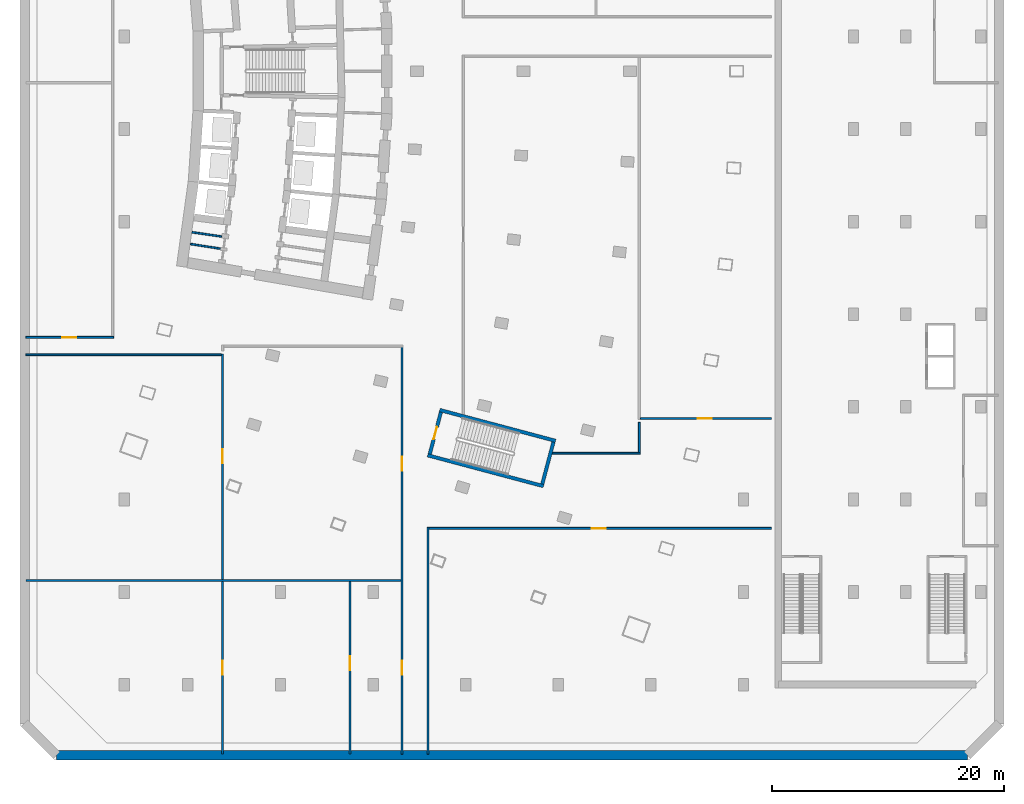
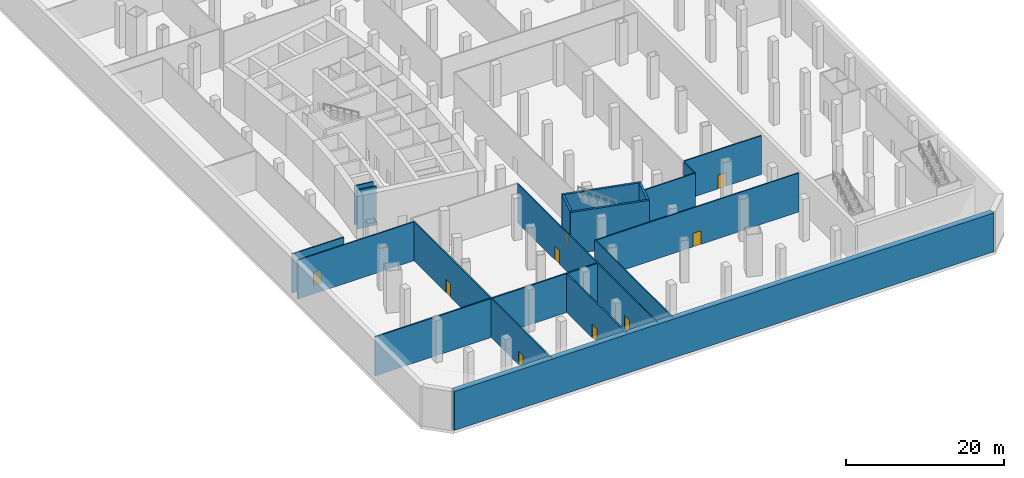
# One storey, part 2 of 16: 18 walls, 9 doors, 9 openings.
"""IFC4 building model written with IfcOpenShell, lengths in metres."""

from ifc_helpers import new_model, si_unit, direction, frame, frame_2d, origin, place, context, subcontext, project, spatial, rectangle, extrude, material, layer, layer_set, type_object, element, fill, save


model = new_model("IFC4")

# Units and contexts
model_context = context("Model", 3, precision=1e-05, world=origin(), true_north=direction((0.0, 1.0)))
body_context = subcontext(model_context, "Body", "Model", "MODEL_VIEW")
ifc_project = project(units=[si_unit("LENGTHUNIT", "METRE"), si_unit("AREAUNIT", "SQUARE_METRE"), si_unit("VOLUMEUNIT", "CUBIC_METRE"), si_unit("PLANEANGLEUNIT", "RADIAN"), si_unit("MASSUNIT", "GRAM", prefix="KILO")], contexts=[model_context])

# Site, building, storey
site_placement = place(None, origin())
site = spatial("IfcSite", under=ifc_project, at=site_placement, CompositionType="ELEMENT")
building_placement = place(site_placement, origin())
building = spatial("IfcBuilding", under=site, at=building_placement, Name="Alderwake Tower", CompositionType="ELEMENT")
storey_placement = place(building_placement, frame((0.0, 0.0, -6.5)))
storey = spatial("IfcBuildingStorey", under=building, at=storey_placement, Name="B1", CompositionType="ELEMENT", Elevation=-6.5)

# Walls
ifc_material_1 = material(Name="Concrete C50/60", Category="concrete")
ifc_layer_1 = layer(ifc_material_1, 0.800048828125)
ifc_layer_set_1 = layer_set([ifc_layer_1], Name="Basement retaining wall 800")
wall_type_1 = type_object("IfcWallType", Name="Basement retaining wall 800", PredefinedType="SOLIDWALL", material=ifc_layer_set_1)
wall_1_placement = place(storey_placement, frame((83.334228515625, 1.89990234375, 0.0), z_axis=(0.0, 0.0, 1.0), x_axis=(-1.0, 0.0, 0.0)))
element("IfcWall", 1, at=wall_1_placement, inside=storey, type_object=wall_type_1, Name="Retaining wall 8", PredefinedType="SOLIDWALL", context=body_context, shape_type="SweptSolid", body=[
    extrude(rectangle(XDim=78.66845703125, YDim=0.800048828125, at=frame_2d((39.334228515625, 0.0))), origin(), (0.0, 0.0, 1.0), 6.0),
])
ifc_material_2 = material(Name="Gypsum shaft wall system, rated")
ifc_layer_2 = layer(ifc_material_2, 0.14990234375)
ifc_layer_set_2 = layer_set([ifc_layer_2], Name="Core room partition 150")
wall_type_2 = type_object("IfcWallType", Name="Core room partition 150", PredefinedType="PARTITIONING", material=ifc_layer_set_2)
wall_2_placement = place(storey_placement, frame((16.2216796875, 46.0673828125, 0.0), z_axis=(0.0, 0.0, 1.0), x_axis=(0.988167260949, -0.153380130356, 0.0)))
element("IfcWall", 2, at=wall_2_placement, inside=storey, type_object=wall_type_2, Name="CW/B1/PR-161_+0", PredefinedType="PARTITIONING", context=body_context, shape_type="SweptSolid", body=[
    extrude(rectangle(XDim=2.593017578125, YDim=0.14990234375, at=frame_2d((1.29638671875, 0.0))), origin(), (0.0, 0.0, 1.0), 6.0),
])
wall_3_placement = place(storey_placement, frame((16.361328125, 47.08203125, 0.0), z_axis=(0.0, 0.0, 1.0), x_axis=(0.989733250733, -0.142926877787, 0.0)))
element("IfcWall", 3, at=wall_3_placement, inside=storey, type_object=wall_type_2, Name="CW/B1/PR-150_+0", PredefinedType="PARTITIONING", context=body_context, shape_type="SweptSolid", body=[
    extrude(rectangle(XDim=2.587890625, YDim=0.14990234375, at=frame_2d((1.2939453125, 0.0))), origin(), (0.0, 0.0, 1.0), 6.0),
])
ifc_material_3 = material(Name="Concrete C70/85", Category="concrete")
ifc_layer_3 = layer(ifc_material_3, 0.300048828125)
ifc_layer_set_3 = layer_set([ifc_layer_3], Name="Core wall stair enclosure 300 C70-85")
wall_type_3 = type_object("IfcWallType", Name="Core wall stair enclosure 300 C70-85", PredefinedType="SHEAR", material=ifc_layer_set_3)
for number, where, z_axis, x_axis, name in (
    (4, (37.75390625, 31.731201171875, 0.0), (0.0, 0.0, 1.0), (0.966309214305, -0.257383958996, 0.0), "Core wall CW.086"),
    (5, (36.71142578125, 27.817626953125, 0.0), (0.0, 0.0, 1.0), (0.966309214305, -0.257383958996, 0.0), "Core wall CW.088"),
):
    element("IfcWall", number, at=place(storey_placement, frame(where, z_axis=z_axis, x_axis=x_axis)), inside=storey, type_object=wall_type_3, Name=name, PredefinedType="SHEAR", context=body_context, shape_type="SweptSolid", body=[
        extrude(rectangle(XDim=10.360107421875, YDim=0.300048828125, at=frame_2d((5.18017578125, 0.0))), origin(), (0.0, 0.0, 1.0), 6.5),
    ])

# Wall, opening, door
wall_4_placement = place(storey_placement, frame((36.89501953125, 27.923828125, 0.0), z_axis=(0.0, 0.0, 1.0), x_axis=(0.257350630826, 0.966318090907, 0.0)))
wall_4 = element("IfcWall", 6, at=wall_4_placement, inside=storey, type_object=wall_type_3, Name="Core wall CW.087", PredefinedType="SHEAR", context=body_context, shape_type="SweptSolid", body=[
    extrude(rectangle(XDim=3.75, YDim=0.300048828125, at=frame_2d((1.875, 0.0))), origin(), (0.0, 0.0, 1.0), 6.5),
])
opening_1_placement = place(wall_4_placement, frame((1.324951171875, 0.0, 0.0)))
opening_1 = element("IfcOpeningElement", 7, at=opening_1_placement, cuts=wall_4, Name="Opening C065", PredefinedType="OPENING", context=body_context, shape_type="SweptSolid", body=[
    extrude(rectangle(XDim=1.10009765625, YDim=2.10009765625, at=frame_2d((0.550048828125, 1.050048828125))), frame((0.0, 0.159912109375, 0.0), z_axis=(0.0, -1.0, 0.0), x_axis=(1.0, 0.0, 0.0)), (0.0, 0.0, 1.0), 0.320068359375),
])
ifc_material_4 = material(Name="Steel-framed fire door leaf", Category="steel")
door_type_1 = type_object("IfcDoorType", Name="Core stair door 1100 fire-rated", OperationType="SINGLE_SWING_LEFT", PredefinedType="DOOR", material=ifc_material_4)
door_1_placement = place(opening_1_placement, origin())
door_1 = element("IfcDoor", 8, at=door_1_placement, inside=storey, type_object=door_type_1, Name="Stair door", OperationType="SINGLE_SWING_LEFT", OverallHeight=2.10009765625, OverallWidth=1.10009765625, PredefinedType="DOOR", context=body_context, shape_type="SweptSolid", body=[
    extrude(rectangle(XDim=1.10009765625, YDim=2.10009765625, at=frame_2d((0.550048828125, 1.050048828125))), frame((0.0, 0.02490234375, 0.0), z_axis=(0.0, -1.0, 0.0), x_axis=(1.0, 0.0, 0.0)), (0.0, 0.0, 1.0), 0.050048828125),
])
fill(opening_1, door_1)

# Walls
wall_5_placement = place(storey_placement, frame((46.6162109375, 25.334716796875, 0.0), z_axis=(0.0, 0.0, 1.0), x_axis=(0.257366821694, 0.966313778796, 0.0)))
element("IfcWall", 9, at=wall_5_placement, inside=storey, type_object=wall_type_3, Name="Core wall CW.085", PredefinedType="SHEAR", context=body_context, shape_type="SweptSolid", body=[
    extrude(rectangle(XDim=3.749755859375, YDim=0.300048828125, at=frame_2d((1.875, 0.0))), origin(), (0.0, 0.0, 1.0), 6.5),
])
ifc_material_5 = material(Name="Gypsum board on metal studs, rated")
ifc_layer_4 = layer(ifc_material_5, 0.159912109375)
ifc_layer_set_4 = layer_set([ifc_layer_4], Name="Corridor wall 160")
wall_type_4 = type_object("IfcWallType", Name="Corridor wall 160", PredefinedType="PARTITIONING", material=ifc_layer_set_4)
wall_6_placement = place(storey_placement, frame((2.0009765625, 36.5009765625, 0.0), z_axis=(0.0, 0.0, 1.0), x_axis=(1.0, 0.0, 0.0)))
element("IfcWall", 10, at=wall_6_placement, inside=storey, type_object=wall_type_4, Name="WL/B1/W31", PredefinedType="PARTITIONING", context=body_context, shape_type="SweptSolid", body=[
    extrude(rectangle(XDim=16.89794921875, YDim=0.159912109375, at=frame_2d((8.448974609375, 0.0))), origin(), (0.0, 0.0, 1.0), 6.0),
])

# Wall, opening, door
wall_7_placement = place(storey_placement, frame((9.5810546875, 38.0009765625, 0.0), z_axis=(0.0, 0.0, 1.0), x_axis=(-1.0, 0.0, 0.0)))
wall_7 = element("IfcWall", 11, at=wall_7_placement, inside=storey, type_object=wall_type_4, Name="WL/B1/W33", PredefinedType="PARTITIONING", context=body_context, shape_type="SweptSolid", body=[
    extrude(rectangle(XDim=7.580078125, YDim=0.159912109375, at=frame_2d((3.7900390625, 0.0))), origin(), (0.0, 0.0, 1.0), 6.0),
])
opening_2_placement = place(wall_7_placement, frame((3.23095703125, 0.0, 0.0)))
opening_2 = element("IfcOpeningElement", 12, at=opening_2_placement, cuts=wall_7, Name="Opening B1-31", PredefinedType="OPENING", context=body_context, shape_type="SweptSolid", body=[
    extrude(rectangle(XDim=1.199951171875, YDim=2.10009765625, at=frame_2d((0.60009765625, 1.050048828125))), frame((0.0, 0.08984375, 0.0), z_axis=(0.0, -1.0, 0.0), x_axis=(1.0, 0.0, 0.0)), (0.0, 0.0, 1.0), 0.179931640625),
])
ifc_material_6 = material(Name="Steel door leaf in steel frame", Category="steel")
door_type_2 = type_object("IfcDoorType", Name="Plant room door 1200 steel", OperationType="SINGLE_SWING_LEFT", PredefinedType="DOOR", material=ifc_material_6)
door_2_placement = place(opening_2_placement, origin())
door_2 = element("IfcDoor", 13, at=door_2_placement, inside=storey, type_object=door_type_2, Name="DR/B1/31", OperationType="SINGLE_SWING_LEFT", OverallHeight=2.10009765625, OverallWidth=1.199951171875, PredefinedType="DOOR", context=body_context, shape_type="SweptSolid", body=[
    extrude(rectangle(XDim=1.199951171875, YDim=2.10009765625, at=frame_2d((0.60009765625, 1.050048828125))), frame((0.0, 0.02490234375, 0.0), z_axis=(0.0, -1.0, 0.0), x_axis=(1.0, 0.0, 0.0)), (0.0, 0.0, 1.0), 0.050048828125),
])
fill(opening_2, door_2)

# Wall, openings, doors
wall_8_placement = place(storey_placement, frame((34.5, 37.1708984375, 0.0), z_axis=(0.0, 0.0, 1.0), x_axis=(0.0, -1.0, 0.0)))
wall_8 = element("IfcWall", 14, at=wall_8_placement, inside=storey, type_object=wall_type_4, Name="WL/B1/W39", PredefinedType="PARTITIONING", context=body_context, shape_type="SweptSolid", body=[
    extrude(rectangle(XDim=35.169921875, YDim=0.159912109375, at=frame_2d((17.5849609375, 0.0))), origin(), (0.0, 0.0, 1.0), 6.0),
])
opening_3_placement = place(wall_8_placement, frame((27.12109375, 0.0, 0.0)))
opening_3 = element("IfcOpeningElement", 15, at=opening_3_placement, cuts=wall_8, Name="Opening B1-17", PredefinedType="OPENING", context=body_context, shape_type="SweptSolid", body=[
    extrude(rectangle(XDim=1.199951171875, YDim=2.10009765625, at=frame_2d((0.60009765625, 1.050048828125))), frame((0.0, 0.08984375, 0.0), z_axis=(0.0, -1.0, 0.0), x_axis=(1.0, 0.0, 0.0)), (0.0, 0.0, 1.0), 0.179931640625),
])
opening_4_placement = place(wall_8_placement, frame((9.470947265625, 0.0, 0.0)))
opening_4 = element("IfcOpeningElement", 16, at=opening_4_placement, cuts=wall_8, Name="Opening B1-19", PredefinedType="OPENING", context=body_context, shape_type="SweptSolid", body=[
    extrude(rectangle(XDim=1.199951171875, YDim=2.10009765625, at=frame_2d((0.60009765625, 1.050048828125))), frame((0.0, 0.08984375, 0.0), z_axis=(0.0, -1.0, 0.0), x_axis=(1.0, 0.0, 0.0)), (0.0, 0.0, 1.0), 0.179931640625),
])
door_3_placement = place(opening_3_placement, origin())
door_3 = element("IfcDoor", 17, at=door_3_placement, inside=storey, type_object=door_type_2, Name="DR/B1/17", OperationType="SINGLE_SWING_LEFT", OverallHeight=2.10009765625, OverallWidth=1.199951171875, PredefinedType="DOOR", context=body_context, shape_type="SweptSolid", body=[
    extrude(rectangle(XDim=1.199951171875, YDim=2.10009765625, at=frame_2d((0.60009765625, 1.050048828125))), frame((0.0, 0.02490234375, 0.0), z_axis=(0.0, -1.0, 0.0), x_axis=(1.0, 0.0, 0.0)), (0.0, 0.0, 1.0), 0.050048828125),
])
fill(opening_3, door_3)
door_4_placement = place(opening_4_placement, origin())
door_4 = element("IfcDoor", 18, at=door_4_placement, inside=storey, type_object=door_type_2, Name="DR/B1/19", OperationType="SINGLE_SWING_LEFT", OverallHeight=2.10009765625, OverallWidth=1.199951171875, PredefinedType="DOOR", context=body_context, shape_type="SweptSolid", body=[
    extrude(rectangle(XDim=1.199951171875, YDim=2.10009765625, at=frame_2d((0.60009765625, 1.050048828125))), frame((0.0, 0.02490234375, 0.0), z_axis=(0.0, -1.0, 0.0), x_axis=(1.0, 0.0, 0.0)), (0.0, 0.0, 1.0), 0.050048828125),
])
fill(opening_4, door_4)

# Wall
wall_9_placement = place(storey_placement, frame((36.75, 2.0009765625, 0.0), z_axis=(0.0, 0.0, 1.0), x_axis=(0.0, 1.0, 0.0)))
element("IfcWall", 19, at=wall_9_placement, inside=storey, type_object=wall_type_4, Name="WL/B1/W42", PredefinedType="PARTITIONING", context=body_context, shape_type="SweptSolid", body=[
    extrude(rectangle(XDim=19.580078125, YDim=0.159912109375, at=frame_2d((9.7900390625, 0.0))), origin(), (0.0, 0.0, 1.0), 6.0),
])

# Wall, opening, door
wall_10_placement = place(storey_placement, frame((36.830078125, 21.5009765625, 0.0), z_axis=(0.0, 0.0, 1.0), x_axis=(1.0, 0.0, 0.0)))
wall_10 = element("IfcWall", 20, at=wall_10_placement, inside=storey, type_object=wall_type_4, Name="WL/B1/W43", PredefinedType="PARTITIONING", context=body_context, shape_type="SweptSolid", body=[
    extrude(rectangle(XDim=29.56884765625, YDim=0.159912109375, at=frame_2d((14.784423828125, 0.0))), origin(), (0.0, 0.0, 1.0), 6.0),
])
opening_5_placement = place(wall_10_placement, frame((14.070068359375, 0.0, 0.0)))
opening_5 = element("IfcOpeningElement", 21, at=opening_5_placement, cuts=wall_10, Name="Opening B1-24", PredefinedType="OPENING", context=body_context, shape_type="SweptSolid", body=[
    extrude(rectangle(XDim=1.199951171875, YDim=2.10009765625, at=frame_2d((0.60009765625, 1.050048828125))), frame((0.0, 0.08984375, 0.0), z_axis=(0.0, -1.0, 0.0), x_axis=(1.0, 0.0, 0.0)), (0.0, 0.0, 1.0), 0.179931640625),
])
door_5_placement = place(opening_5_placement, origin())
door_5 = element("IfcDoor", 22, at=door_5_placement, inside=storey, type_object=door_type_2, Name="DR/B1/24", OperationType="SINGLE_SWING_LEFT", OverallHeight=2.10009765625, OverallWidth=1.199951171875, PredefinedType="DOOR", context=body_context, shape_type="SweptSolid", body=[
    extrude(rectangle(XDim=1.199951171875, YDim=2.10009765625, at=frame_2d((0.60009765625, 1.050048828125))), frame((0.0, 0.02490234375, 0.0), z_axis=(0.0, -1.0, 0.0), x_axis=(1.0, 0.0, 0.0)), (0.0, 0.0, 1.0), 0.050048828125),
])
fill(opening_5, door_5)

# Walls
wall_11_placement = place(storey_placement, frame((55.0791015625, 27.9990234375, 0.0), z_axis=(0.0, 0.0, 1.0), x_axis=(-1.0, 0.0, 0.0)))
element("IfcWall", 23, at=wall_11_placement, inside=storey, type_object=wall_type_4, Name="WL/B1/W52", PredefinedType="PARTITIONING", context=body_context, shape_type="SweptSolid", body=[
    extrude(rectangle(XDim=7.59814453125, YDim=0.159912109375, at=frame_2d((3.799072265625, 0.0))), origin(), (0.0, 0.0, 1.0), 6.0),
])
wall_12_placement = place(storey_placement, frame((54.9990234375, 30.665771484375, 0.0), z_axis=(0.0, 0.0, 1.0), x_axis=(0.0, -1.0, 0.0)))
element("IfcWall", 24, at=wall_12_placement, inside=storey, type_object=wall_type_4, Name="WL/B1/W53", PredefinedType="PARTITIONING", context=body_context, shape_type="SweptSolid", body=[
    extrude(rectangle(XDim=2.586669921875, YDim=0.159912109375, at=frame_2d((1.29345703125, 0.0))), origin(), (0.0, 0.0, 1.0), 6.0),
])

# Wall, opening, door
wall_13_placement = place(storey_placement, frame((66.39892578125, 30.9990234375, 0.0), z_axis=(0.0, 0.0, 1.0), x_axis=(-1.0, 0.0, 0.0)))
wall_13 = element("IfcWall", 25, at=wall_13_placement, inside=storey, type_object=wall_type_4, Name="WL/B1/W54", PredefinedType="PARTITIONING", context=body_context, shape_type="SweptSolid", body=[
    extrude(rectangle(XDim=11.2998046875, YDim=0.159912109375, at=frame_2d((5.64990234375, 0.0))), origin(), (0.0, 0.0, 1.0), 6.0),
])
opening_6_placement = place(wall_13_placement, frame((5.14892578125, 0.0, 0.0)))
opening_6 = element("IfcOpeningElement", 26, at=opening_6_placement, cuts=wall_13, Name="Opening B1-26", PredefinedType="OPENING", context=body_context, shape_type="SweptSolid", body=[
    extrude(rectangle(XDim=1.199951171875, YDim=2.10009765625, at=frame_2d((0.60009765625, 1.050048828125))), frame((0.0, 0.08984375, 0.0), z_axis=(0.0, -1.0, 0.0), x_axis=(1.0, 0.0, 0.0)), (0.0, 0.0, 1.0), 0.179931640625),
])
door_6_placement = place(opening_6_placement, origin())
door_6 = element("IfcDoor", 27, at=door_6_placement, inside=storey, type_object=door_type_2, Name="DR/B1/26", OperationType="SINGLE_SWING_LEFT", OverallHeight=2.10009765625, OverallWidth=1.199951171875, PredefinedType="DOOR", context=body_context, shape_type="SweptSolid", body=[
    extrude(rectangle(XDim=1.199951171875, YDim=2.10009765625, at=frame_2d((0.60009765625, 1.050048828125))), frame((0.0, 0.02490234375, 0.0), z_axis=(0.0, -1.0, 0.0), x_axis=(1.0, 0.0, 0.0)), (0.0, 0.0, 1.0), 0.050048828125),
])
fill(opening_6, door_6)

# Wall
ifc_material_7 = material(Name="Dense block masonry wall", Category="masonry")
ifc_layer_5 = layer(ifc_material_7, 0.199951171875)
ifc_layer_set_5 = layer_set([ifc_layer_5], Name="Party wall 200")
wall_type_5 = type_object("IfcWallType", Name="Party wall 200", PredefinedType="SOLIDWALL", material=ifc_layer_set_5)
wall_14_placement = place(storey_placement, frame((2.0009765625, 17.0009765625, 0.0), z_axis=(0.0, 0.0, 1.0), x_axis=(1.0, 0.0, 0.0)))
element("IfcWall", 28, at=wall_14_placement, inside=storey, type_object=wall_type_5, Name="WL/B1/W01", PredefinedType="SOLIDWALL", context=body_context, shape_type="SweptSolid", body=[
    extrude(rectangle(XDim=32.4189453125, YDim=0.199951171875, at=frame_2d((16.20947265625, 0.0))), origin(), (0.0, 0.0, 1.0), 6.0),
])

# Wall, openings, doors
wall_15_placement = place(storey_placement, frame((18.9990234375, 36.5810546875, 0.0), z_axis=(0.0, 0.0, 1.0), x_axis=(0.0, -1.0, 0.0)))
wall_15 = element("IfcWall", 29, at=wall_15_placement, inside=storey, type_object=wall_type_5, Name="WL/B1/W03", PredefinedType="SOLIDWALL", context=body_context, shape_type="SweptSolid", body=[
    extrude(rectangle(XDim=34.580078125, YDim=0.199951171875, at=frame_2d((17.2900390625, 0.0))), origin(), (0.0, 0.0, 1.0), 6.0),
])
opening_7_placement = place(wall_15_placement, frame((26.531005859375, 0.0, 0.0)))
opening_7 = element("IfcOpeningElement", 30, at=opening_7_placement, cuts=wall_15, Name="Opening B1-15", PredefinedType="OPENING", context=body_context, shape_type="SweptSolid", body=[
    extrude(rectangle(XDim=1.199951171875, YDim=2.10009765625, at=frame_2d((0.60009765625, 1.050048828125))), frame((0.0, 0.10986328125, 0.0), z_axis=(0.0, -1.0, 0.0), x_axis=(1.0, 0.0, 0.0)), (0.0, 0.0, 1.0), 0.219970703125),
])
opening_8_placement = place(wall_15_placement, frame((8.23095703125, 0.0, 0.0)))
opening_8 = element("IfcOpeningElement", 31, at=opening_8_placement, cuts=wall_15, Name="Opening B1-18", PredefinedType="OPENING", context=body_context, shape_type="SweptSolid", body=[
    extrude(rectangle(XDim=1.199951171875, YDim=2.10009765625, at=frame_2d((0.60009765625, 1.050048828125))), frame((0.0, 0.10986328125, 0.0), z_axis=(0.0, -1.0, 0.0), x_axis=(1.0, 0.0, 0.0)), (0.0, 0.0, 1.0), 0.219970703125),
])
door_7_placement = place(opening_7_placement, origin())
door_7 = element("IfcDoor", 32, at=door_7_placement, inside=storey, type_object=door_type_2, Name="DR/B1/15", OperationType="SINGLE_SWING_LEFT", OverallHeight=2.10009765625, OverallWidth=1.199951171875, PredefinedType="DOOR", context=body_context, shape_type="SweptSolid", body=[
    extrude(rectangle(XDim=1.199951171875, YDim=2.10009765625, at=frame_2d((0.60009765625, 1.050048828125))), frame((0.0, 0.02490234375, 0.0), z_axis=(0.0, -1.0, 0.0), x_axis=(1.0, 0.0, 0.0)), (0.0, 0.0, 1.0), 0.050048828125),
])
fill(opening_7, door_7)
door_8_placement = place(opening_8_placement, origin())
door_8 = element("IfcDoor", 33, at=door_8_placement, inside=storey, type_object=door_type_2, Name="DR/B1/18", OperationType="SINGLE_SWING_LEFT", OverallHeight=2.10009765625, OverallWidth=1.199951171875, PredefinedType="DOOR", context=body_context, shape_type="SweptSolid", body=[
    extrude(rectangle(XDim=1.199951171875, YDim=2.10009765625, at=frame_2d((0.60009765625, 1.050048828125))), frame((0.0, 0.02490234375, 0.0), z_axis=(0.0, -1.0, 0.0), x_axis=(1.0, 0.0, 0.0)), (0.0, 0.0, 1.0), 0.050048828125),
])
fill(opening_8, door_8)

# Wall, opening, door
wall_16_placement = place(storey_placement, frame((30.0, 16.90087890625, 0.0), z_axis=(0.0, 0.0, 1.0), x_axis=(0.0, -1.0, 0.0)))
wall_16 = element("IfcWall", 34, at=wall_16_placement, inside=storey, type_object=wall_type_5, Name="WL/B1/W06", PredefinedType="SOLIDWALL", context=body_context, shape_type="SweptSolid", body=[
    extrude(rectangle(XDim=14.89990234375, YDim=0.199951171875, at=frame_2d((7.449951171875, 0.0))), origin(), (0.0, 0.0, 1.0), 6.0),
])
opening_9_placement = place(wall_16_placement, frame((6.450927734375, 0.0, 0.0)))
opening_9 = element("IfcOpeningElement", 35, at=opening_9_placement, cuts=wall_16, Name="Opening B1-16", PredefinedType="OPENING", context=body_context, shape_type="SweptSolid", body=[
    extrude(rectangle(XDim=1.199951171875, YDim=2.10009765625, at=frame_2d((0.60009765625, 1.050048828125))), frame((0.0, 0.10986328125, 0.0), z_axis=(0.0, -1.0, 0.0), x_axis=(1.0, 0.0, 0.0)), (0.0, 0.0, 1.0), 0.219970703125),
])
door_9_placement = place(opening_9_placement, origin())
door_9 = element("IfcDoor", 36, at=door_9_placement, inside=storey, type_object=door_type_2, Name="DR/B1/16", OperationType="SINGLE_SWING_LEFT", OverallHeight=2.10009765625, OverallWidth=1.199951171875, PredefinedType="DOOR", context=body_context, shape_type="SweptSolid", body=[
    extrude(rectangle(XDim=1.199951171875, YDim=2.10009765625, at=frame_2d((0.60009765625, 1.050048828125))), frame((0.0, 0.02490234375, 0.0), z_axis=(0.0, -1.0, 0.0), x_axis=(1.0, 0.0, 0.0)), (0.0, 0.0, 1.0), 0.050048828125),
])
fill(opening_9, door_9)

save(model, "model.ifc")
